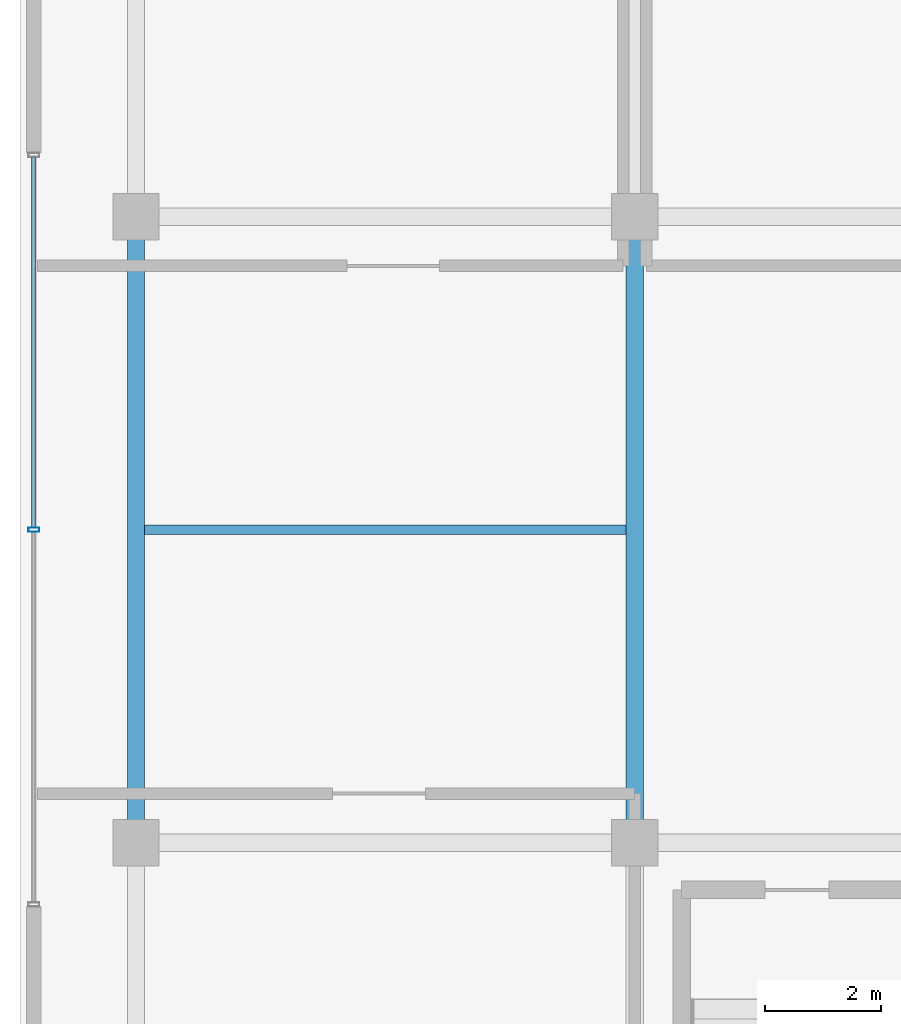
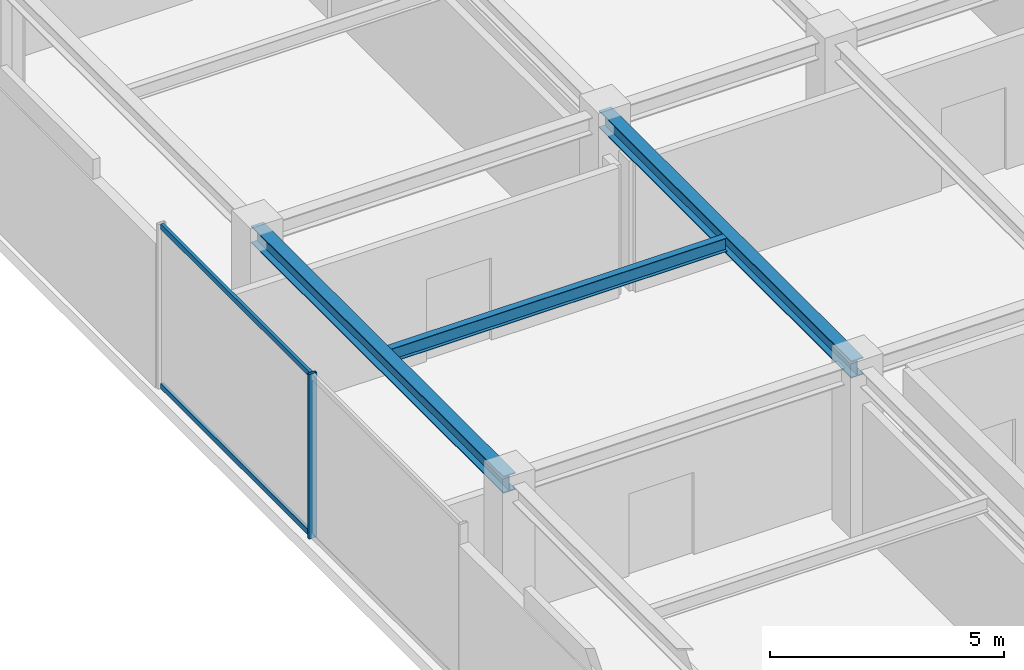
# One storey, part 6 of 18: 3 beams, 3 members, 1 element without a shape of its own.
"""IFC4 building model written with IfcOpenShell, lengths in metres."""

from ifc_helpers import new_model, si_unit, direction, frame, origin, origin_2d, place, context, subcontext, project, spatial, hollow_rectangle, i_section, extrude, source, transform, mapped, material, material_profile, profile_set, type_object, element, aggregate, save


model = new_model("IFC4")

# Units and contexts
model_context = context("Model", 3, precision=1e-05, world=origin(), true_north=direction((0.0, 1.0)))
body_context = subcontext(model_context, "Body", "Model", "MODEL_VIEW")
ifc_project = project(units=[si_unit("LENGTHUNIT", "METRE"), si_unit("AREAUNIT", "SQUARE_METRE"), si_unit("VOLUMEUNIT", "CUBIC_METRE"), si_unit("PLANEANGLEUNIT", "RADIAN"), si_unit("MASSUNIT", "GRAM", prefix="KILO")], contexts=[model_context])

# Site, building, storey
site_placement = place(None, origin())
site = spatial("IfcSite", under=ifc_project, at=site_placement, CompositionType="ELEMENT")
building_placement = place(site_placement, origin())
building = spatial("IfcBuilding", under=site, at=building_placement, Name="Nahalor Promenade Grand Hotel", CompositionType="ELEMENT")
storey_placement = place(building_placement, frame((0.0, 0.0, 361.64990234375)))
storey = spatial("IfcBuildingStorey", under=building, at=storey_placement, Name="L92", CompositionType="ELEMENT", Elevation=361.64990234375)

# Beams
ifc_material_1 = material(Name="Steel S355JR", Category="steel")
ifc_material_profile_1 = material_profile(ifc_material_1, i_section(OverallWidth=0.3, OverallDepth=0.45, WebThickness=0.014, FlangeThickness=0.026, at=origin_2d()), Name="HEB 450")
ifc_profile_set_1 = profile_set([ifc_material_profile_1], Name="Steel S355JR")
beam_type_1 = type_object("IfcBeamType", Name="Beam-Girder-HEB450", PredefinedType="BEAM", material=ifc_profile_set_1)
shared_shape_1 = source(origin(), body_context, "Body", "SweptSolid", [
    extrude(i_section(OverallWidth=0.3, OverallDepth=0.45, WebThickness=0.014, FlangeThickness=0.026, at=origin_2d()), origin(), (0.0, 0.0, 1.0), 10.7998046875),
])
for number, where, z_axis, x_axis, name in (
    (1, (-17.0, -5.39990234375, 4.0751953125), (0.0, 1.0, 0.0), (-1.0, 0.0, 0.0), "BM-L92-GY-0-1"),
    (2, (-8.39990234375, -5.39990234375, 4.0751953125), (0.0, 1.0, 0.0), (-1.0, 0.0, 0.0), "BM-L92-GY-1-1"),
):
    element("IfcBeam", number, at=place(storey_placement, frame(where, z_axis=z_axis, x_axis=x_axis)), inside=storey, type_object=beam_type_1, Name=name, PredefinedType="BEAM", context=body_context, shape_type="MappedRepresentation", body=[
        mapped(shared_shape_1, transform((0.0, 0.0, 0.0), scale=1.0)),
    ])
ifc_material_profile_2 = material_profile(ifc_material_1, i_section(OverallWidth=0.17, OverallDepth=0.36, WebThickness=0.008, FlangeThickness=0.0127, at=origin_2d()), Name="IPE 360")
ifc_profile_set_2 = profile_set([ifc_material_profile_2], Name="Steel S355JR")
beam_type_2 = type_object("IfcBeamType", Name="Beam-Joist-IPE360", PredefinedType="JOIST", material=ifc_profile_set_2)
shared_shape_2 = source(origin(), body_context, "Body", "SweptSolid", [
    extrude(i_section(OverallWidth=0.17, OverallDepth=0.36, WebThickness=0.008, FlangeThickness=0.0127, at=origin_2d()), origin(), (0.0, 0.0, 1.0), 8.300048828125),
])
beam_placement = place(storey_placement, frame((-16.85009765625, 0.0, 4.1201171875), z_axis=(1.0, 0.0, 0.0), x_axis=(0.0, 1.0, 0.0)))
element("IfcBeam", 3, at=beam_placement, inside=storey, type_object=beam_type_2, Name="BM-L92-JSC-0", PredefinedType="JOIST", context=body_context, shape_type="MappedRepresentation", body=[
    mapped(shared_shape_2, transform((0.0, 0.0, 0.0), scale=1.0)),
])

# Curtain wall, members
ifc_material_2 = material(Name="Anodised Bronze Aluminium EN AW-6063 T6", Category="aluminium")
curtain_wall_type = type_object("IfcCurtainWallType", Name="CW6 Crown Botanical Conservatory Curtain Wall", PredefinedType="USERDEFINED", material=ifc_material_2)
curtain_wall_placement = place(storey_placement, origin())
curtain_wall = element("IfcCurtainWall", 4, at=curtain_wall_placement, inside=storey, type_object=curtain_wall_type, Name="L92 Curtain Wall CW-L92-W", ObjectType="UNITISED_CURTAIN_WALL", PredefinedType="USERDEFINED")
ifc_material_profile_3 = material_profile(ifc_material_2, hollow_rectangle(XDim=0.075, YDim=0.135, WallThickness=0.004, at=origin_2d()), Name="CWT 75x135x4")
ifc_profile_set_3 = profile_set([ifc_material_profile_3], Name="Anodised Bronze Aluminium EN AW-6063 T6")
member_type_1 = type_object("IfcMemberType", Name="CWT6 Conservatory Transom 75x135", PredefinedType="USERDEFINED", material=ifc_profile_set_3)
shared_shape_3 = source(origin(), body_context, "Body", "SweptSolid", [
    extrude(hollow_rectangle(XDim=0.075, YDim=0.135, WallThickness=0.004, at=origin_2d()), origin(), (0.0, 0.0, 1.0), 6.387451171875),
])
member_1_placement = place(storey_placement, frame((-18.760009765625, 0.03759765625, 0.067626953125), z_axis=(0.0, 1.0, 0.0), x_axis=(-1.0, 0.0, 0.0)))
member_1 = element("IfcMember", 5, at=member_1_placement, type_object=member_type_1, Name="CW-L92-W Transom 1-0", ObjectType="TRANSOM", PredefinedType="USERDEFINED", context=body_context, shape_type="MappedRepresentation", body=[
    mapped(shared_shape_3, transform((0.0, 0.0, 0.0), scale=1.0)),
])
member_2_placement = place(storey_placement, frame((-18.760009765625, 0.03759765625, 4.232666015625), z_axis=(0.0, 1.0, 0.0), x_axis=(-1.0, 0.0, 0.0)))
member_2 = element("IfcMember", 6, at=member_2_placement, type_object=member_type_1, Name="CW-L92-W Transom 1-1", ObjectType="TRANSOM", PredefinedType="USERDEFINED", context=body_context, shape_type="MappedRepresentation", body=[
    mapped(shared_shape_3, transform((0.0, 0.0, 0.0), scale=1.0)),
])
ifc_material_profile_4 = material_profile(ifc_material_2, hollow_rectangle(XDim=0.075, YDim=0.19, WallThickness=0.005, at=origin_2d()), Name="CWM 75x190x5")
ifc_profile_set_4 = profile_set([ifc_material_profile_4], Name="Anodised Bronze Aluminium EN AW-6063 T6")
member_type_2 = type_object("IfcMemberType", Name="CWM6 Conservatory Bronze Mullion 75x190", PredefinedType="MULLION", material=ifc_profile_set_4)
shared_shape_4 = source(origin(), body_context, "Body", "SweptSolid", [
    extrude(hollow_rectangle(XDim=0.075, YDim=0.19, WallThickness=0.005, at=origin_2d()), origin(), (0.0, 0.0, 1.0), 4.300048828125),
])
member_3_placement = place(storey_placement, frame((-18.760009765625, 0.0, 0.0), z_axis=(0.0, 0.0, 1.0), x_axis=(0.0, 1.0, 0.0)))
member_3 = element("IfcMember", 7, at=member_3_placement, type_object=member_type_2, Name="CW-L92-W Mullion 1", PredefinedType="MULLION", context=body_context, shape_type="MappedRepresentation", body=[
    mapped(shared_shape_4, transform((0.0, 0.0, 0.0), scale=1.0)),
])
aggregate(curtain_wall, [member_3, member_1, member_2])

save(model, "model.ifc")
